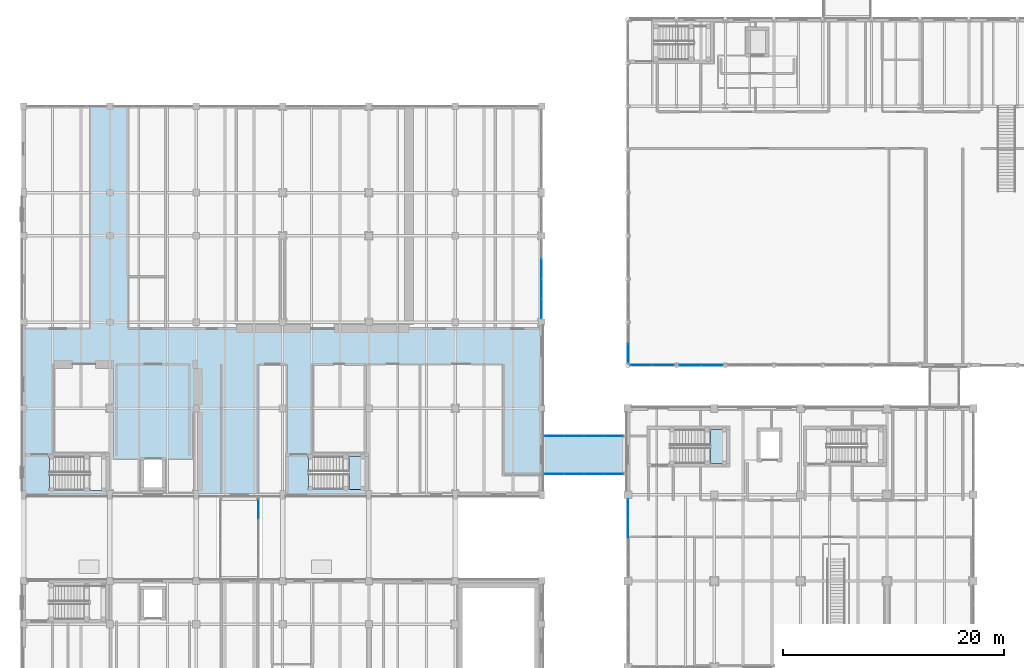
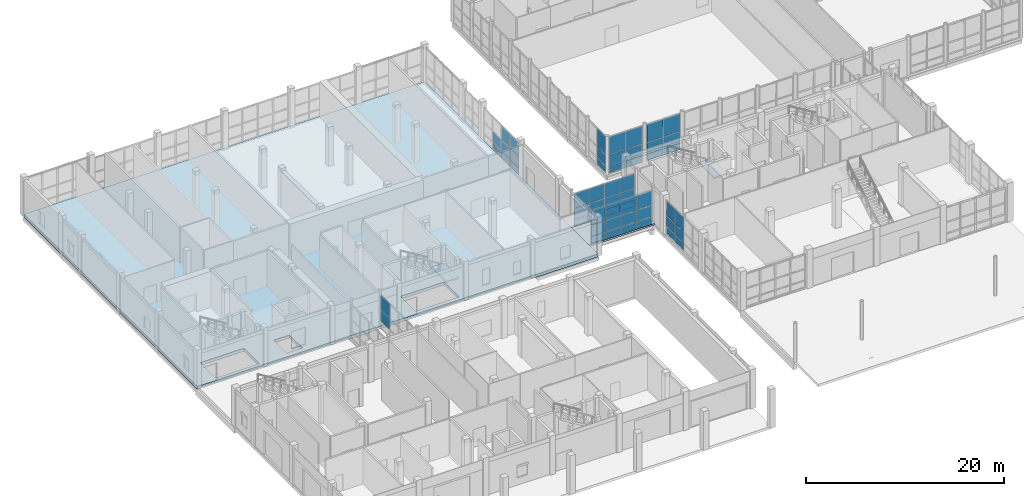
# One storey, part 72 of 131: 55 plates, 4 slabs, 10 elements without a shape of their own.
"""IFC4 building model written with IfcOpenShell, lengths in metres."""

from ifc_helpers import new_model, si_unit, direction, frame, origin, origin_2d, place, context, subcontext, project, spatial, polyline, rectangle, outline, extrude, material, layer, layer_set, type_object, element, aggregate, save


model = new_model("IFC4")

# Units and contexts
model_context = context("Model", 3, precision=1e-05, world=origin(), true_north=direction((0.0, 1.0)))
body_context = subcontext(model_context, "Body", "Model", "MODEL_VIEW")
ifc_project = project(units=[si_unit("LENGTHUNIT", "METRE"), si_unit("AREAUNIT", "SQUARE_METRE"), si_unit("VOLUMEUNIT", "CUBIC_METRE"), si_unit("PLANEANGLEUNIT", "RADIAN"), si_unit("MASSUNIT", "GRAM", prefix="KILO")], contexts=[model_context])

# Site, building, storey
site_placement = place(None, origin())
site = spatial("IfcSite", under=ifc_project, at=site_placement, CompositionType="ELEMENT")
building_placement = place(site_placement, origin())
building = spatial("IfcBuilding", under=site, at=building_placement, Name="Celorna Specialist Clinic", CompositionType="ELEMENT")
storey_placement = place(building_placement, origin())
storey = spatial("IfcBuildingStorey", under=building, at=storey_placement, Name="L00", CompositionType="ELEMENT", Elevation=0.0)

# Curtain wall, plates
ifc_material_1 = material(Name="Thermally broken aluminium and solar-control glass curtain wall", Category="aluminium")
ifc_layer_1 = layer(ifc_material_1, 0.159912109375, Name="Thermally broken aluminium and solar-control glass curtain wall")
ifc_layer_set_1 = layer_set([ifc_layer_1], Name="Thermally broken aluminium and solar-control glass curtain wall")
curtain_wall_type_1 = type_object("IfcCurtainWallType", Name="CW-19", PredefinedType="NOTDEFINED", material=ifc_layer_set_1)
curtain_wall_1_placement = place(storey_placement, origin())
curtain_wall_1 = element("IfcCurtainWall", 1, at=curtain_wall_1_placement, inside=storey, type_object=curtain_wall_type_1, Name="Curtain wall CW-19 #47", PredefinedType="NOTDEFINED")
ifc_material_2 = material(Name="Low-e double glazing", Category="glass")
ifc_layer_2 = layer(ifc_material_2, 0.028076171875, Name="Low-e double glazing")
ifc_layer_set_2 = layer_set([ifc_layer_2], Name="Low-e double glazing")
plate_type_1 = type_object("IfcPlateType", Name="CPN-01", PredefinedType="CURTAIN_PANEL", material=ifc_layer_set_2)
plate_1_placement = place(storey_placement, frame((46.800048828125, 55.4990234375, 0.0498046875), z_axis=(0.0, 0.0, 1.0), x_axis=(0.0, -1.0, 0.0)))
plate_1 = element("IfcPlate", 2, at=plate_1_placement, type_object=plate_type_1, Name="CW-19 panel 2.1", PredefinedType="CURTAIN_PANEL", context=body_context, shape_type="SweptSolid", body=[
    extrude(rectangle(XDim=1.748046875, YDim=0.028076171875, at=origin_2d()), origin(), (0.0, 0.0, 1.0), 0.824951171875),
])
plate_2_placement = place(storey_placement, frame((46.800048828125, 55.4990234375, 0.925048828125), z_axis=(0.0, 0.0, 1.0), x_axis=(0.0, -1.0, 0.0)))
plate_2 = element("IfcPlate", 3, at=plate_2_placement, type_object=plate_type_1, Name="CW-19 panel 2.2", PredefinedType="CURTAIN_PANEL", context=body_context, shape_type="SweptSolid", body=[
    extrude(rectangle(XDim=1.748046875, YDim=0.028076171875, at=origin_2d()), origin(), (0.0, 0.0, 1.0), 1.35009765625),
])
plate_3_placement = place(storey_placement, frame((46.800048828125, 53.700927734375, 0.0498046875), z_axis=(0.0, 0.0, 1.0), x_axis=(0.0, -1.0, 0.0)))
plate_3 = element("IfcPlate", 4, at=plate_3_placement, type_object=plate_type_1, Name="CW-19 panel 3.1", PredefinedType="CURTAIN_PANEL", context=body_context, shape_type="SweptSolid", body=[
    extrude(rectangle(XDim=1.748046875, YDim=0.028076171875, at=origin_2d()), origin(), (0.0, 0.0, 1.0), 0.824951171875),
])
plate_4_placement = place(storey_placement, frame((46.800048828125, 53.700927734375, 0.925048828125), z_axis=(0.0, 0.0, 1.0), x_axis=(0.0, -1.0, 0.0)))
plate_4 = element("IfcPlate", 5, at=plate_4_placement, type_object=plate_type_1, Name="CW-19 panel 3.2", PredefinedType="CURTAIN_PANEL", context=body_context, shape_type="SweptSolid", body=[
    extrude(rectangle(XDim=1.748046875, YDim=0.028076171875, at=origin_2d()), origin(), (0.0, 0.0, 1.0), 1.35009765625),
])
plate_5_placement = place(storey_placement, frame((46.800048828125, 53.700927734375, 2.324951171875), z_axis=(0.0, 0.0, 1.0), x_axis=(0.0, -1.0, 0.0)))
plate_5 = element("IfcPlate", 6, at=plate_5_placement, type_object=plate_type_1, Name="CW-19 panel 3.3", PredefinedType="CURTAIN_PANEL", context=body_context, shape_type="SweptSolid", body=[
    extrude(rectangle(XDim=1.748046875, YDim=0.028076171875, at=origin_2d()), origin(), (0.0, 0.0, 1.0), 1.68505859375),
])
plate_6_placement = place(storey_placement, frame((46.800048828125, 51.91552734375, 0.0498046875), z_axis=(0.0, 0.0, 1.0), x_axis=(0.0, -1.0, 0.0)))
plate_6 = element("IfcPlate", 7, at=plate_6_placement, type_object=plate_type_1, Name="CW-19 panel 4.1", PredefinedType="CURTAIN_PANEL", context=body_context, shape_type="SweptSolid", body=[
    extrude(rectangle(XDim=1.722900390625, YDim=0.028076171875, at=origin_2d()), origin(), (0.0, 0.0, 1.0), 0.824951171875),
])
plate_7_placement = place(storey_placement, frame((46.800048828125, 51.91552734375, 0.925048828125), z_axis=(0.0, 0.0, 1.0), x_axis=(0.0, -1.0, 0.0)))
plate_7 = element("IfcPlate", 8, at=plate_7_placement, type_object=plate_type_1, Name="CW-19 panel 4.2", PredefinedType="CURTAIN_PANEL", context=body_context, shape_type="SweptSolid", body=[
    extrude(rectangle(XDim=1.722900390625, YDim=0.028076171875, at=origin_2d()), origin(), (0.0, 0.0, 1.0), 1.35009765625),
])
plate_8_placement = place(storey_placement, frame((46.800048828125, 51.91552734375, 2.324951171875), z_axis=(0.0, 0.0, 1.0), x_axis=(0.0, -1.0, 0.0)))
plate_8 = element("IfcPlate", 9, at=plate_8_placement, type_object=plate_type_1, Name="CW-19 panel 4.3", PredefinedType="CURTAIN_PANEL", context=body_context, shape_type="SweptSolid", body=[
    extrude(rectangle(XDim=1.722900390625, YDim=0.028076171875, at=origin_2d()), origin(), (0.0, 0.0, 1.0), 1.68505859375),
])
aggregate(curtain_wall_1, [plate_1, plate_2, plate_3, plate_4, plate_5, plate_6, plate_7, plate_8])

ifc_layer_3 = layer(ifc_material_1, 0.159912109375, Name="Thermally broken aluminium and solar-control glass curtain wall")
ifc_layer_set_3 = layer_set([ifc_layer_3], Name="Thermally broken aluminium and solar-control glass curtain wall")
curtain_wall_type_2 = type_object("IfcCurtainWallType", Name="CW-111", PredefinedType="NOTDEFINED", material=ifc_layer_set_3)
curtain_wall_2_placement = place(storey_placement, origin())
curtain_wall_2 = element("IfcCurtainWall", 10, at=curtain_wall_2_placement, inside=storey, type_object=curtain_wall_type_2, Name="Curtain wall CW-111 #199", PredefinedType="NOTDEFINED")
plate_9_placement = place(storey_placement, frame((21.219970703125, 33.7763671875, 0.925048828125), z_axis=(0.0, 0.0, 1.0), x_axis=(0.0, -1.0, 0.0)))
plate_9 = element("IfcPlate", 11, at=plate_9_placement, type_object=plate_type_1, Name="CW-111 panel 1.2", PredefinedType="CURTAIN_PANEL", context=body_context, shape_type="SweptSolid", body=[
    extrude(rectangle(XDim=1.70751953125, YDim=0.028076171875, at=origin_2d()), origin(), (0.0, 0.0, 1.0), 1.35009765625),
])
plate_10_placement = place(storey_placement, frame((21.219970703125, 33.7763671875, 2.324951171875), z_axis=(0.0, 0.0, 1.0), x_axis=(0.0, -1.0, 0.0)))
plate_10 = element("IfcPlate", 12, at=plate_10_placement, type_object=plate_type_1, Name="CW-111 panel 1.3", PredefinedType="CURTAIN_PANEL", context=body_context, shape_type="SweptSolid", body=[
    extrude(rectangle(XDim=1.70751953125, YDim=0.028076171875, at=origin_2d()), origin(), (0.0, 0.0, 1.0), 1.7548828125),
])
aggregate(curtain_wall_2, [plate_9, plate_10])

curtain_wall_3_placement = place(storey_placement, origin())
curtain_wall_3 = element("IfcCurtainWall", 13, at=curtain_wall_3_placement, inside=storey, type_object=curtain_wall_type_2, Name="Curtain wall CW-111 #202", PredefinedType="NOTDEFINED")
plate_11_placement = place(storey_placement, frame((53.2763671875, 36.97998046875, 0.0498046875), z_axis=(0.0, 0.0, 1.0), x_axis=(-1.0, 0.0, 0.0)))
plate_11 = element("IfcPlate", 14, at=plate_11_placement, type_object=plate_type_1, Name="CW-111 panel 1.1", PredefinedType="CURTAIN_PANEL", context=body_context, shape_type="SweptSolid", body=[
    extrude(rectangle(XDim=1.70751953125, YDim=0.028076171875, at=origin_2d()), origin(), (0.0, 0.0, 1.0), 0.824951171875),
])
plate_12_placement = place(storey_placement, frame((53.2763671875, 36.97998046875, 0.925048828125), z_axis=(0.0, 0.0, 1.0), x_axis=(-1.0, 0.0, 0.0)))
plate_12 = element("IfcPlate", 15, at=plate_12_placement, type_object=plate_type_1, Name="CW-111 panel 1.2", PredefinedType="CURTAIN_PANEL", context=body_context, shape_type="SweptSolid", body=[
    extrude(rectangle(XDim=1.70751953125, YDim=0.028076171875, at=origin_2d()), origin(), (0.0, 0.0, 1.0), 1.35009765625),
])
plate_13_placement = place(storey_placement, frame((53.2763671875, 36.97998046875, 2.324951171875), z_axis=(0.0, 0.0, 1.0), x_axis=(-1.0, 0.0, 0.0)))
plate_13 = element("IfcPlate", 16, at=plate_13_placement, type_object=plate_type_1, Name="CW-111 panel 1.3", PredefinedType="CURTAIN_PANEL", context=body_context, shape_type="SweptSolid", body=[
    extrude(rectangle(XDim=1.70751953125, YDim=0.028076171875, at=origin_2d()), origin(), (0.0, 0.0, 1.0), 1.7548828125),
])
plate_14_placement = place(storey_placement, frame((51.50634765625, 36.97998046875, 0.0498046875), z_axis=(0.0, 0.0, 1.0), x_axis=(-1.0, 0.0, 0.0)))
plate_14 = element("IfcPlate", 17, at=plate_14_placement, type_object=plate_type_1, Name="CW-111 panel 2.1", PredefinedType="CURTAIN_PANEL", context=body_context, shape_type="SweptSolid", body=[
    extrude(rectangle(XDim=1.732421875, YDim=0.028076171875, at=origin_2d()), origin(), (0.0, 0.0, 1.0), 0.824951171875),
])
plate_15_placement = place(storey_placement, frame((51.50634765625, 36.97998046875, 0.925048828125), z_axis=(0.0, 0.0, 1.0), x_axis=(-1.0, 0.0, 0.0)))
plate_15 = element("IfcPlate", 18, at=plate_15_placement, type_object=plate_type_1, Name="CW-111 panel 2.2", PredefinedType="CURTAIN_PANEL", context=body_context, shape_type="SweptSolid", body=[
    extrude(rectangle(XDim=1.732421875, YDim=0.028076171875, at=origin_2d()), origin(), (0.0, 0.0, 1.0), 1.35009765625),
])
plate_16_placement = place(storey_placement, frame((51.50634765625, 36.97998046875, 2.324951171875), z_axis=(0.0, 0.0, 1.0), x_axis=(-1.0, 0.0, 0.0)))
plate_16 = element("IfcPlate", 19, at=plate_16_placement, type_object=plate_type_1, Name="CW-111 panel 2.3", PredefinedType="CURTAIN_PANEL", context=body_context, shape_type="SweptSolid", body=[
    extrude(rectangle(XDim=1.732421875, YDim=0.028076171875, at=origin_2d()), origin(), (0.0, 0.0, 1.0), 1.7548828125),
])
plate_17_placement = place(storey_placement, frame((49.7236328125, 36.97998046875, 0.0498046875), z_axis=(0.0, 0.0, 1.0), x_axis=(-1.0, 0.0, 0.0)))
plate_17 = element("IfcPlate", 20, at=plate_17_placement, type_object=plate_type_1, Name="CW-111 panel 3.1", PredefinedType="CURTAIN_PANEL", context=body_context, shape_type="SweptSolid", body=[
    extrude(rectangle(XDim=1.732421875, YDim=0.028076171875, at=origin_2d()), origin(), (0.0, 0.0, 1.0), 0.824951171875),
])
plate_18_placement = place(storey_placement, frame((49.7236328125, 36.97998046875, 0.925048828125), z_axis=(0.0, 0.0, 1.0), x_axis=(-1.0, 0.0, 0.0)))
plate_18 = element("IfcPlate", 21, at=plate_18_placement, type_object=plate_type_1, Name="CW-111 panel 3.2", PredefinedType="CURTAIN_PANEL", context=body_context, shape_type="SweptSolid", body=[
    extrude(rectangle(XDim=1.732421875, YDim=0.028076171875, at=origin_2d()), origin(), (0.0, 0.0, 1.0), 1.35009765625),
])
plate_19_placement = place(storey_placement, frame((49.7236328125, 36.97998046875, 2.324951171875), z_axis=(0.0, 0.0, 1.0), x_axis=(-1.0, 0.0, 0.0)))
plate_19 = element("IfcPlate", 22, at=plate_19_placement, type_object=plate_type_1, Name="CW-111 panel 3.3", PredefinedType="CURTAIN_PANEL", context=body_context, shape_type="SweptSolid", body=[
    extrude(rectangle(XDim=1.732421875, YDim=0.028076171875, at=origin_2d()), origin(), (0.0, 0.0, 1.0), 1.7548828125),
])
plate_20_placement = place(storey_placement, frame((47.953857421875, 36.97998046875, 0.0498046875), z_axis=(0.0, 0.0, 1.0), x_axis=(-1.0, 0.0, 0.0)))
plate_20 = element("IfcPlate", 23, at=plate_20_placement, type_object=plate_type_1, Name="CW-111 panel 4.1", PredefinedType="CURTAIN_PANEL", context=body_context, shape_type="SweptSolid", body=[
    extrude(rectangle(XDim=1.70751953125, YDim=0.028076171875, at=origin_2d()), origin(), (0.0, 0.0, 1.0), 0.824951171875),
])
plate_21_placement = place(storey_placement, frame((47.953857421875, 36.97998046875, 0.925048828125), z_axis=(0.0, 0.0, 1.0), x_axis=(-1.0, 0.0, 0.0)))
plate_21 = element("IfcPlate", 24, at=plate_21_placement, type_object=plate_type_1, Name="CW-111 panel 4.2", PredefinedType="CURTAIN_PANEL", context=body_context, shape_type="SweptSolid", body=[
    extrude(rectangle(XDim=1.70751953125, YDim=0.028076171875, at=origin_2d()), origin(), (0.0, 0.0, 1.0), 1.35009765625),
])
plate_22_placement = place(storey_placement, frame((47.953857421875, 36.97998046875, 2.324951171875), z_axis=(0.0, 0.0, 1.0), x_axis=(-1.0, 0.0, 0.0)))
plate_22 = element("IfcPlate", 25, at=plate_22_placement, type_object=plate_type_1, Name="CW-111 panel 4.3", PredefinedType="CURTAIN_PANEL", context=body_context, shape_type="SweptSolid", body=[
    extrude(rectangle(XDim=1.70751953125, YDim=0.028076171875, at=origin_2d()), origin(), (0.0, 0.0, 1.0), 1.7548828125),
])
aggregate(curtain_wall_3, [plate_11, plate_12, plate_13, plate_14, plate_15, plate_16, plate_17, plate_18, plate_19, plate_20, plate_21, plate_22])

curtain_wall_4_placement = place(storey_placement, origin())
curtain_wall_4 = element("IfcCurtainWall", 26, at=curtain_wall_4_placement, inside=storey, type_object=curtain_wall_type_2, Name="Curtain wall CW-111 #203", PredefinedType="NOTDEFINED")
plate_23_placement = place(storey_placement, frame((47.953857421875, 40.419921875, 0.0498046875), z_axis=(0.0, 0.0, 1.0), x_axis=(1.0, 0.0, 0.0)))
plate_23 = element("IfcPlate", 27, at=plate_23_placement, type_object=plate_type_1, Name="CW-111 panel 1.1", PredefinedType="CURTAIN_PANEL", context=body_context, shape_type="SweptSolid", body=[
    extrude(rectangle(XDim=1.70751953125, YDim=0.028076171875, at=origin_2d()), origin(), (0.0, 0.0, 1.0), 0.824951171875),
])
plate_24_placement = place(storey_placement, frame((47.953857421875, 40.419921875, 0.925048828125), z_axis=(0.0, 0.0, 1.0), x_axis=(1.0, 0.0, 0.0)))
plate_24 = element("IfcPlate", 28, at=plate_24_placement, type_object=plate_type_1, Name="CW-111 panel 1.2", PredefinedType="CURTAIN_PANEL", context=body_context, shape_type="SweptSolid", body=[
    extrude(rectangle(XDim=1.70751953125, YDim=0.028076171875, at=origin_2d()), origin(), (0.0, 0.0, 1.0), 1.35009765625),
])
plate_25_placement = place(storey_placement, frame((47.953857421875, 40.419921875, 2.324951171875), z_axis=(0.0, 0.0, 1.0), x_axis=(1.0, 0.0, 0.0)))
plate_25 = element("IfcPlate", 29, at=plate_25_placement, type_object=plate_type_1, Name="CW-111 panel 1.3", PredefinedType="CURTAIN_PANEL", context=body_context, shape_type="SweptSolid", body=[
    extrude(rectangle(XDim=1.70751953125, YDim=0.028076171875, at=origin_2d()), origin(), (0.0, 0.0, 1.0), 1.7548828125),
])
plate_26_placement = place(storey_placement, frame((49.7236328125, 40.419921875, 0.0498046875), z_axis=(0.0, 0.0, 1.0), x_axis=(1.0, 0.0, 0.0)))
plate_26 = element("IfcPlate", 30, at=plate_26_placement, type_object=plate_type_1, Name="CW-111 panel 2.1", PredefinedType="CURTAIN_PANEL", context=body_context, shape_type="SweptSolid", body=[
    extrude(rectangle(XDim=1.732421875, YDim=0.028076171875, at=origin_2d()), origin(), (0.0, 0.0, 1.0), 0.824951171875),
])
plate_27_placement = place(storey_placement, frame((49.7236328125, 40.419921875, 0.925048828125), z_axis=(0.0, 0.0, 1.0), x_axis=(1.0, 0.0, 0.0)))
plate_27 = element("IfcPlate", 31, at=plate_27_placement, type_object=plate_type_1, Name="CW-111 panel 2.2", PredefinedType="CURTAIN_PANEL", context=body_context, shape_type="SweptSolid", body=[
    extrude(rectangle(XDim=1.732421875, YDim=0.028076171875, at=origin_2d()), origin(), (0.0, 0.0, 1.0), 1.35009765625),
])
plate_28_placement = place(storey_placement, frame((49.7236328125, 40.419921875, 2.324951171875), z_axis=(0.0, 0.0, 1.0), x_axis=(1.0, 0.0, 0.0)))
plate_28 = element("IfcPlate", 32, at=plate_28_placement, type_object=plate_type_1, Name="CW-111 panel 2.3", PredefinedType="CURTAIN_PANEL", context=body_context, shape_type="SweptSolid", body=[
    extrude(rectangle(XDim=1.732421875, YDim=0.028076171875, at=origin_2d()), origin(), (0.0, 0.0, 1.0), 1.7548828125),
])
plate_29_placement = place(storey_placement, frame((51.50634765625, 40.419921875, 0.0498046875), z_axis=(0.0, 0.0, 1.0), x_axis=(1.0, 0.0, 0.0)))
plate_29 = element("IfcPlate", 33, at=plate_29_placement, type_object=plate_type_1, Name="CW-111 panel 3.1", PredefinedType="CURTAIN_PANEL", context=body_context, shape_type="SweptSolid", body=[
    extrude(rectangle(XDim=1.732421875, YDim=0.028076171875, at=origin_2d()), origin(), (0.0, 0.0, 1.0), 0.824951171875),
])
plate_30_placement = place(storey_placement, frame((51.50634765625, 40.419921875, 0.925048828125), z_axis=(0.0, 0.0, 1.0), x_axis=(1.0, 0.0, 0.0)))
plate_30 = element("IfcPlate", 34, at=plate_30_placement, type_object=plate_type_1, Name="CW-111 panel 3.2", PredefinedType="CURTAIN_PANEL", context=body_context, shape_type="SweptSolid", body=[
    extrude(rectangle(XDim=1.732421875, YDim=0.028076171875, at=origin_2d()), origin(), (0.0, 0.0, 1.0), 1.35009765625),
])
plate_31_placement = place(storey_placement, frame((51.50634765625, 40.419921875, 2.324951171875), z_axis=(0.0, 0.0, 1.0), x_axis=(1.0, 0.0, 0.0)))
plate_31 = element("IfcPlate", 35, at=plate_31_placement, type_object=plate_type_1, Name="CW-111 panel 3.3", PredefinedType="CURTAIN_PANEL", context=body_context, shape_type="SweptSolid", body=[
    extrude(rectangle(XDim=1.732421875, YDim=0.028076171875, at=origin_2d()), origin(), (0.0, 0.0, 1.0), 1.7548828125),
])
plate_32_placement = place(storey_placement, frame((53.2763671875, 40.419921875, 0.0498046875), z_axis=(0.0, 0.0, 1.0), x_axis=(1.0, 0.0, 0.0)))
plate_32 = element("IfcPlate", 36, at=plate_32_placement, type_object=plate_type_1, Name="CW-111 panel 4.1", PredefinedType="CURTAIN_PANEL", context=body_context, shape_type="SweptSolid", body=[
    extrude(rectangle(XDim=1.70751953125, YDim=0.028076171875, at=origin_2d()), origin(), (0.0, 0.0, 1.0), 0.824951171875),
])
plate_33_placement = place(storey_placement, frame((53.2763671875, 40.419921875, 0.925048828125), z_axis=(0.0, 0.0, 1.0), x_axis=(1.0, 0.0, 0.0)))
plate_33 = element("IfcPlate", 37, at=plate_33_placement, type_object=plate_type_1, Name="CW-111 panel 4.2", PredefinedType="CURTAIN_PANEL", context=body_context, shape_type="SweptSolid", body=[
    extrude(rectangle(XDim=1.70751953125, YDim=0.028076171875, at=origin_2d()), origin(), (0.0, 0.0, 1.0), 1.35009765625),
])
plate_34_placement = place(storey_placement, frame((53.2763671875, 40.419921875, 2.324951171875), z_axis=(0.0, 0.0, 1.0), x_axis=(1.0, 0.0, 0.0)))
plate_34 = element("IfcPlate", 38, at=plate_34_placement, type_object=plate_type_1, Name="CW-111 panel 4.3", PredefinedType="CURTAIN_PANEL", context=body_context, shape_type="SweptSolid", body=[
    extrude(rectangle(XDim=1.70751953125, YDim=0.028076171875, at=origin_2d()), origin(), (0.0, 0.0, 1.0), 1.7548828125),
])
aggregate(curtain_wall_4, [plate_23, plate_24, plate_25, plate_26, plate_27, plate_28, plate_29, plate_30, plate_31, plate_32, plate_33, plate_34])

ifc_layer_4 = layer(ifc_material_1, 0.159912109375, Name="Thermally broken aluminium and solar-control glass curtain wall")
ifc_layer_set_4 = layer_set([ifc_layer_4], Name="Thermally broken aluminium and solar-control glass curtain wall")
curtain_wall_type_3 = type_object("IfcCurtainWallType", Name="CW-01", PredefinedType="NOTDEFINED", material=ifc_layer_set_4)
curtain_wall_5_placement = place(storey_placement, origin())
curtain_wall_5 = element("IfcCurtainWall", 39, at=curtain_wall_5_placement, inside=storey, type_object=curtain_wall_type_3, Name="Curtain wall CW-01 #1", PredefinedType="NOTDEFINED")
ifc_material_3 = material(Name="Solar-control triple glazing", Category="glass")
ifc_layer_5 = layer(ifc_material_3, 0.035888671875, Name="Solar-control triple glazing")
ifc_layer_set_5 = layer_set([ifc_layer_5], Name="Solar-control triple glazing")
plate_type_2 = type_object("IfcPlateType", Name="CPN-02", PredefinedType="CURTAIN_PANEL", material=ifc_layer_set_5)
plate_35_placement = place(storey_placement, frame((57.783935546875, 46.800048828125, 0.0498046875), z_axis=(0.0, 0.0, 1.0), x_axis=(-1.0, 0.0, 0.0)))
plate_35 = element("IfcPlate", 40, at=plate_35_placement, type_object=plate_type_2, Name="CW-01 panel 1.1", PredefinedType="CURTAIN_PANEL", context=body_context, shape_type="SweptSolid", body=[
    extrude(rectangle(XDim=1.917724609375, YDim=0.035888671875, at=origin_2d()), origin(), (0.0, 0.0, 1.0), 0.824951171875),
])
plate_36_placement = place(storey_placement, frame((57.783935546875, 46.800048828125, 0.925048828125), z_axis=(0.0, 0.0, 1.0), x_axis=(-1.0, 0.0, 0.0)))
plate_36 = element("IfcPlate", 41, at=plate_36_placement, type_object=plate_type_2, Name="CW-01 panel 1.2", PredefinedType="CURTAIN_PANEL", context=body_context, shape_type="SweptSolid", body=[
    extrude(rectangle(XDim=1.917724609375, YDim=0.035888671875, at=origin_2d()), origin(), (0.0, 0.0, 1.0), 1.35009765625),
])
plate_37_placement = place(storey_placement, frame((57.783935546875, 46.800048828125, 2.324951171875), z_axis=(0.0, 0.0, 1.0), x_axis=(-1.0, 0.0, 0.0)))
plate_37 = element("IfcPlate", 42, at=plate_37_placement, type_object=plate_type_2, Name="CW-01 panel 1.3", PredefinedType="CURTAIN_PANEL", context=body_context, shape_type="SweptSolid", body=[
    extrude(rectangle(XDim=1.917724609375, YDim=0.035888671875, at=origin_2d()), origin(), (0.0, 0.0, 1.0), 2.1650390625),
])
plate_38_placement = place(storey_placement, frame((55.816162109375, 46.800048828125, 0.0498046875), z_axis=(0.0, 0.0, 1.0), x_axis=(-1.0, 0.0, 0.0)))
plate_38 = element("IfcPlate", 43, at=plate_38_placement, type_object=plate_type_2, Name="CW-01 panel 2.1", PredefinedType="CURTAIN_PANEL", context=body_context, shape_type="SweptSolid", body=[
    extrude(rectangle(XDim=1.917724609375, YDim=0.035888671875, at=origin_2d()), origin(), (0.0, 0.0, 1.0), 0.824951171875),
])
plate_39_placement = place(storey_placement, frame((55.816162109375, 46.800048828125, 0.925048828125), z_axis=(0.0, 0.0, 1.0), x_axis=(-1.0, 0.0, 0.0)))
plate_39 = element("IfcPlate", 44, at=plate_39_placement, type_object=plate_type_2, Name="CW-01 panel 2.2", PredefinedType="CURTAIN_PANEL", context=body_context, shape_type="SweptSolid", body=[
    extrude(rectangle(XDim=1.917724609375, YDim=0.035888671875, at=origin_2d()), origin(), (0.0, 0.0, 1.0), 1.35009765625),
])
plate_40_placement = place(storey_placement, frame((55.816162109375, 46.800048828125, 2.324951171875), z_axis=(0.0, 0.0, 1.0), x_axis=(-1.0, 0.0, 0.0)))
plate_40 = element("IfcPlate", 45, at=plate_40_placement, type_object=plate_type_2, Name="CW-01 panel 2.3", PredefinedType="CURTAIN_PANEL", context=body_context, shape_type="SweptSolid", body=[
    extrude(rectangle(XDim=1.917724609375, YDim=0.035888671875, at=origin_2d()), origin(), (0.0, 0.0, 1.0), 2.1650390625),
])
aggregate(curtain_wall_5, [plate_35, plate_36, plate_37, plate_38, plate_39, plate_40])

ifc_layer_6 = layer(ifc_material_1, 0.159912109375, Name="Thermally broken aluminium and solar-control glass curtain wall")
ifc_layer_set_6 = layer_set([ifc_layer_6], Name="Thermally broken aluminium and solar-control glass curtain wall")
curtain_wall_type_4 = type_object("IfcCurtainWallType", Name="CW-04", PredefinedType="NOTDEFINED", material=ifc_layer_set_6)
curtain_wall_6_placement = place(storey_placement, origin())
curtain_wall_6 = element("IfcCurtainWall", 46, at=curtain_wall_6_placement, inside=storey, type_object=curtain_wall_type_4, Name="Curtain wall CW-04 #10", PredefinedType="NOTDEFINED")
plate_41_placement = place(storey_placement, frame((54.60009765625, 47.89111328125, 0.0498046875), z_axis=(0.0, 0.0, 1.0), x_axis=(0.0, 1.0, 0.0)))
plate_41 = element("IfcPlate", 47, at=plate_41_placement, type_object=plate_type_2, Name="CW-04 panel 1.1", PredefinedType="CURTAIN_PANEL", context=body_context, shape_type="SweptSolid", body=[
    extrude(rectangle(XDim=1.667724609375, YDim=0.035888671875, at=origin_2d()), origin(), (0.0, 0.0, 1.0), 0.824951171875),
])
plate_42_placement = place(storey_placement, frame((54.60009765625, 47.89111328125, 0.925048828125), z_axis=(0.0, 0.0, 1.0), x_axis=(0.0, 1.0, 0.0)))
plate_42 = element("IfcPlate", 48, at=plate_42_placement, type_object=plate_type_2, Name="CW-04 panel 1.2", PredefinedType="CURTAIN_PANEL", context=body_context, shape_type="SweptSolid", body=[
    extrude(rectangle(XDim=1.667724609375, YDim=0.035888671875, at=origin_2d()), origin(), (0.0, 0.0, 1.0), 1.35009765625),
])
plate_43_placement = place(storey_placement, frame((54.60009765625, 47.89111328125, 2.324951171875), z_axis=(0.0, 0.0, 1.0), x_axis=(0.0, 1.0, 0.0)))
plate_43 = element("IfcPlate", 49, at=plate_43_placement, type_object=plate_type_2, Name="CW-04 panel 1.3", PredefinedType="CURTAIN_PANEL", context=body_context, shape_type="SweptSolid", body=[
    extrude(rectangle(XDim=1.667724609375, YDim=0.035888671875, at=origin_2d()), origin(), (0.0, 0.0, 1.0), 2.1650390625),
])
aggregate(curtain_wall_6, [plate_41, plate_42, plate_43])

ifc_layer_7 = layer(ifc_material_1, 0.159912109375, Name="Thermally broken aluminium and solar-control glass curtain wall")
ifc_layer_set_7 = layer_set([ifc_layer_7], Name="Thermally broken aluminium and solar-control glass curtain wall")
curtain_wall_type_5 = type_object("IfcCurtainWallType", Name="CW-02", PredefinedType="NOTDEFINED", material=ifc_layer_set_7)
curtain_wall_7_placement = place(storey_placement, origin())
curtain_wall_7 = element("IfcCurtainWall", 50, at=curtain_wall_7_placement, inside=storey, type_object=curtain_wall_type_5, Name="Curtain wall CW-02 #2", PredefinedType="NOTDEFINED")
ifc_material_4 = material(Name="Glazed polychrome ceramic insulated spandrel")
ifc_layer_8 = layer(ifc_material_4, 0.0439453125, Name="Glazed polychrome ceramic insulated spandrel")
ifc_layer_set_8 = layer_set([ifc_layer_8], Name="Glazed polychrome ceramic insulated spandrel")
plate_type_3 = type_object("IfcPlateType", Name="CPN-03", PredefinedType="CURTAIN_PANEL", material=ifc_layer_set_8)
plate_44_placement = place(storey_placement, frame((62.183837890625, 46.800048828125, 0.0498046875), z_axis=(0.0, 0.0, 1.0), x_axis=(-1.0, 0.0, 0.0)))
plate_44 = element("IfcPlate", 51, at=plate_44_placement, type_object=plate_type_3, Name="CW-02 panel 1.1", PredefinedType="CURTAIN_PANEL", context=body_context, shape_type="SweptSolid", body=[
    extrude(rectangle(XDim=1.917724609375, YDim=0.0439453125, at=origin_2d()), origin(), (0.0, 0.0, 1.0), 0.824951171875),
])
plate_45_placement = place(storey_placement, frame((62.183837890625, 46.800048828125, 0.925048828125), z_axis=(0.0, 0.0, 1.0), x_axis=(-1.0, 0.0, 0.0)))
plate_45 = element("IfcPlate", 52, at=plate_45_placement, type_object=plate_type_3, Name="CW-02 panel 1.2", PredefinedType="CURTAIN_PANEL", context=body_context, shape_type="SweptSolid", body=[
    extrude(rectangle(XDim=1.917724609375, YDim=0.0439453125, at=origin_2d()), origin(), (0.0, 0.0, 1.0), 1.35009765625),
])
plate_46_placement = place(storey_placement, frame((62.183837890625, 46.800048828125, 2.324951171875), z_axis=(0.0, 0.0, 1.0), x_axis=(-1.0, 0.0, 0.0)))
plate_46 = element("IfcPlate", 53, at=plate_46_placement, type_object=plate_type_3, Name="CW-02 panel 1.3", PredefinedType="CURTAIN_PANEL", context=body_context, shape_type="SweptSolid", body=[
    extrude(rectangle(XDim=1.917724609375, YDim=0.0439453125, at=origin_2d()), origin(), (0.0, 0.0, 1.0), 2.1650390625),
])
plate_47_placement = place(storey_placement, frame((60.216064453125, 46.800048828125, 0.0498046875), z_axis=(0.0, 0.0, 1.0), x_axis=(-1.0, 0.0, 0.0)))
plate_47 = element("IfcPlate", 54, at=plate_47_placement, type_object=plate_type_3, Name="CW-02 panel 2.1", PredefinedType="CURTAIN_PANEL", context=body_context, shape_type="SweptSolid", body=[
    extrude(rectangle(XDim=1.917724609375, YDim=0.0439453125, at=origin_2d()), origin(), (0.0, 0.0, 1.0), 0.824951171875),
])
plate_48_placement = place(storey_placement, frame((60.216064453125, 46.800048828125, 0.925048828125), z_axis=(0.0, 0.0, 1.0), x_axis=(-1.0, 0.0, 0.0)))
plate_48 = element("IfcPlate", 55, at=plate_48_placement, type_object=plate_type_3, Name="CW-02 panel 2.2", PredefinedType="CURTAIN_PANEL", context=body_context, shape_type="SweptSolid", body=[
    extrude(rectangle(XDim=1.917724609375, YDim=0.0439453125, at=origin_2d()), origin(), (0.0, 0.0, 1.0), 1.35009765625),
])
plate_49_placement = place(storey_placement, frame((60.216064453125, 46.800048828125, 2.324951171875), z_axis=(0.0, 0.0, 1.0), x_axis=(-1.0, 0.0, 0.0)))
plate_49 = element("IfcPlate", 56, at=plate_49_placement, type_object=plate_type_3, Name="CW-02 panel 2.3", PredefinedType="CURTAIN_PANEL", context=body_context, shape_type="SweptSolid", body=[
    extrude(rectangle(XDim=1.917724609375, YDim=0.0439453125, at=origin_2d()), origin(), (0.0, 0.0, 1.0), 2.1650390625),
])
aggregate(curtain_wall_7, [plate_44, plate_45, plate_46, plate_47, plate_48, plate_49])

ifc_layer_9 = layer(ifc_material_1, 0.159912109375, Name="Thermally broken aluminium and solar-control glass curtain wall")
ifc_layer_set_9 = layer_set([ifc_layer_9], Name="Thermally broken aluminium and solar-control glass curtain wall")
curtain_wall_type_6 = type_object("IfcCurtainWallType", Name="CW-103", PredefinedType="NOTDEFINED", material=ifc_layer_set_9)
curtain_wall_8_placement = place(storey_placement, origin())
curtain_wall_8 = element("IfcCurtainWall", 57, at=curtain_wall_8_placement, inside=storey, type_object=curtain_wall_type_6, Name="Curtain wall CW-103 #182", PredefinedType="NOTDEFINED")
plate_50_placement = place(storey_placement, frame((54.60009765625, 32.08642578125, 0.0498046875), z_axis=(0.0, 0.0, 1.0), x_axis=(0.0, 1.0, 0.0)))
plate_50 = element("IfcPlate", 58, at=plate_50_placement, type_object=plate_type_3, Name="CW-103 panel 3.1", PredefinedType="CURTAIN_PANEL", context=body_context, shape_type="SweptSolid", body=[
    extrude(rectangle(XDim=1.722900390625, YDim=0.0439453125, at=origin_2d()), origin(), (0.0, 0.0, 1.0), 0.824951171875),
])
plate_51_placement = place(storey_placement, frame((54.60009765625, 32.08642578125, 0.925048828125), z_axis=(0.0, 0.0, 1.0), x_axis=(0.0, 1.0, 0.0)))
plate_51 = element("IfcPlate", 59, at=plate_51_placement, type_object=plate_type_3, Name="CW-103 panel 3.2", PredefinedType="CURTAIN_PANEL", context=body_context, shape_type="SweptSolid", body=[
    extrude(rectangle(XDim=1.722900390625, YDim=0.0439453125, at=origin_2d()), origin(), (0.0, 0.0, 1.0), 1.35009765625),
])
plate_52_placement = place(storey_placement, frame((54.60009765625, 32.08642578125, 2.3251953125), z_axis=(0.0, 0.0, 1.0), x_axis=(0.0, 1.0, 0.0)))
plate_52 = element("IfcPlate", 60, at=plate_52_placement, type_object=plate_type_3, Name="CW-103 panel 3.3", PredefinedType="CURTAIN_PANEL", context=body_context, shape_type="SweptSolid", body=[
    extrude(rectangle(XDim=1.722900390625, YDim=0.0439453125, at=origin_2d()), origin(), (0.0, 0.0, 1.0), 1.764892578125),
])
plate_53_placement = place(storey_placement, frame((54.60009765625, 33.846923828125, 0.0498046875), z_axis=(0.0, 0.0, 1.0), x_axis=(0.0, 1.0, 0.0)))
plate_53 = element("IfcPlate", 61, at=plate_53_placement, type_object=plate_type_3, Name="CW-103 panel 4.1", PredefinedType="CURTAIN_PANEL", context=body_context, shape_type="SweptSolid", body=[
    extrude(rectangle(XDim=1.697998046875, YDim=0.0439453125, at=origin_2d()), origin(), (0.0, 0.0, 1.0), 0.824951171875),
])
plate_54_placement = place(storey_placement, frame((54.60009765625, 33.846923828125, 0.925048828125), z_axis=(0.0, 0.0, 1.0), x_axis=(0.0, 1.0, 0.0)))
plate_54 = element("IfcPlate", 62, at=plate_54_placement, type_object=plate_type_3, Name="CW-103 panel 4.2", PredefinedType="CURTAIN_PANEL", context=body_context, shape_type="SweptSolid", body=[
    extrude(rectangle(XDim=1.697998046875, YDim=0.0439453125, at=origin_2d()), origin(), (0.0, 0.0, 1.0), 1.35009765625),
])
plate_55_placement = place(storey_placement, frame((54.60009765625, 33.846923828125, 2.3251953125), z_axis=(0.0, 0.0, 1.0), x_axis=(0.0, 1.0, 0.0)))
plate_55 = element("IfcPlate", 63, at=plate_55_placement, type_object=plate_type_3, Name="CW-103 panel 4.3", PredefinedType="CURTAIN_PANEL", context=body_context, shape_type="SweptSolid", body=[
    extrude(rectangle(XDim=1.697998046875, YDim=0.0439453125, at=origin_2d()), origin(), (0.0, 0.0, 1.0), 1.764892578125),
])
aggregate(curtain_wall_8, [plate_50, plate_51, plate_52, plate_53, plate_54, plate_55])

# Slabs
ifc_material_5 = material(Name="Concrete C40/50", Category="concrete")
ifc_layer_10 = layer(ifc_material_5, 0.3798828125, Name="Concrete C40/50")
ifc_layer_set_10 = layer_set([ifc_layer_10], Name="Concrete C40/50")
slab_type_1 = type_object("IfcSlabType", Name="SL-04", PredefinedType="FLOOR", material=ifc_layer_set_10)
slab_1_placement = place(storey_placement, frame((0.0, 0.0, -0.3798828125)))
element("IfcSlab", 64, at=slab_1_placement, inside=storey, type_object=slab_type_1, Name="V2 L00 structural slab SL-04", PredefinedType="FLOOR", context=body_context, shape_type="SweptSolid", body=[
    extrude(outline(polyline([(46.800048828125, 35.10009765625), (46.800048828125, 70.199951171875), (0.0, 70.199951171875), (0.0, 35.10009765625), (46.800048828125, 35.10009765625)]), holes=[polyline([(2.340087890625, 35.47998046875), (7.43994140625, 35.47998046875), (7.43994140625, 38.580078125), (2.340087890625, 38.580078125), (2.340087890625, 35.47998046875)]), polyline([(25.739990234375, 35.580078125), (30.840087890625, 35.580078125), (30.840087890625, 38.580078125), (25.739990234375, 38.580078125), (25.739990234375, 35.580078125)]), polyline([(10.794921875, 35.695068359375), (12.60498046875, 35.695068359375), (12.60498046875, 38.304931640625), (10.794921875, 38.304931640625), (10.794921875, 35.695068359375)])]), origin(), (0.0, 0.0, 1.0), 0.3798828125),
])
ifc_material_6 = material(Name="Concrete C35/45", Category="concrete")
ifc_layer_11 = layer(ifc_material_6, 0.219970703125, Name="Concrete C35/45")
ifc_layer_set_11 = layer_set([ifc_layer_11], Name="Concrete C35/45")
slab_type_2 = type_object("IfcSlabType", Name="SL-10", PredefinedType="FLOOR", material=ifc_layer_set_11)
slab_2_placement = place(storey_placement, frame((0.0, 0.0, -0.219970703125)))
element("IfcSlab", 65, at=slab_2_placement, inside=storey, type_object=slab_type_2, Name="Cloister bridge BR-02 L00 deck", PredefinedType="FLOOR", context=body_context, shape_type="SweptSolid", body=[
    extrude(outline(polyline([(46.800048828125, 36.89990234375), (54.52001953125, 36.89990234375), (54.52001953125, 40.5), (46.800048828125, 40.5), (46.800048828125, 36.89990234375)])), origin(), (0.0, 0.0, 1.0), 0.219970703125),
])

# Stair, slab
stair_type_1 = type_object("IfcStairType", Name="ST-03", PredefinedType="HALF_TURN_STAIR", material=ifc_material_6)
stair_1_placement = place(storey_placement, origin())
stair_1 = element("IfcStair", 66, at=stair_1_placement, inside=storey, type_object=stair_type_1, Name="L00 Protected exit stair ST-07", PredefinedType="HALF_TURN_STAIR")
ifc_layer_12 = layer(ifc_material_6, 0.199951171875, Name="Concrete C35/45")
ifc_layer_set_12 = layer_set([ifc_layer_12], Name="Concrete C35/45")
slab_type_3 = type_object("IfcSlabType", Name="SL-11", PredefinedType="LANDING", material=ifc_layer_set_12)
slab_3_placement = place(storey_placement, frame((0.0, 0.0, 2.199951171875)))
slab_3 = element("IfcSlab", 67, at=slab_3_placement, type_object=slab_type_3, Name="ST-07 landing 1", PredefinedType="LANDING", context=body_context, shape_type="SweptSolid", body=[
    extrude(outline(polyline([(29.3798828125, 35.580078125), (30.840087890625, 35.580078125), (30.840087890625, 38.580078125), (29.3798828125, 38.580078125), (29.3798828125, 35.580078125)])), origin(), (0.0, 0.0, 1.0), 0.199951171875),
])
aggregate(stair_1, [slab_3])

stair_type_2 = type_object("IfcStairType", Name="ST-02", PredefinedType="HALF_TURN_STAIR", material=ifc_material_6)
stair_2_placement = place(storey_placement, origin())
stair_2 = element("IfcStair", 68, at=stair_2_placement, inside=storey, type_object=stair_type_2, Name="L00 Protected exit stair ST-08", PredefinedType="HALF_TURN_STAIR")
slab_4_placement = place(storey_placement, frame((0.0, 0.0, 2.199951171875)))
slab_4 = element("IfcSlab", 69, at=slab_4_placement, type_object=slab_type_3, Name="ST-08 landing 1", PredefinedType="LANDING", context=body_context, shape_type="SweptSolid", body=[
    extrude(outline(polyline([(62.0400390625, 37.919921875), (63.5, 37.919921875), (63.5, 41.02001953125), (62.0400390625, 41.02001953125), (62.0400390625, 37.919921875)])), origin(), (0.0, 0.0, 1.0), 0.199951171875),
])
aggregate(stair_2, [slab_4])

save(model, "model.ifc")
